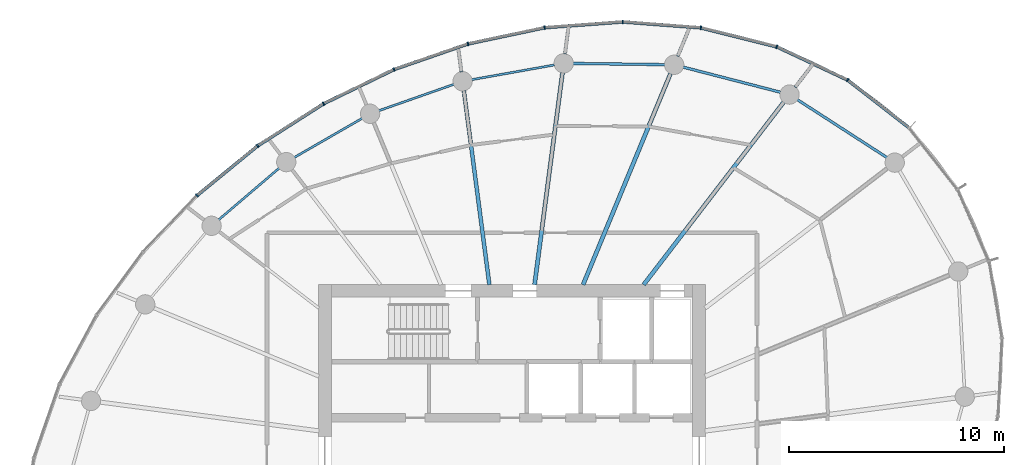
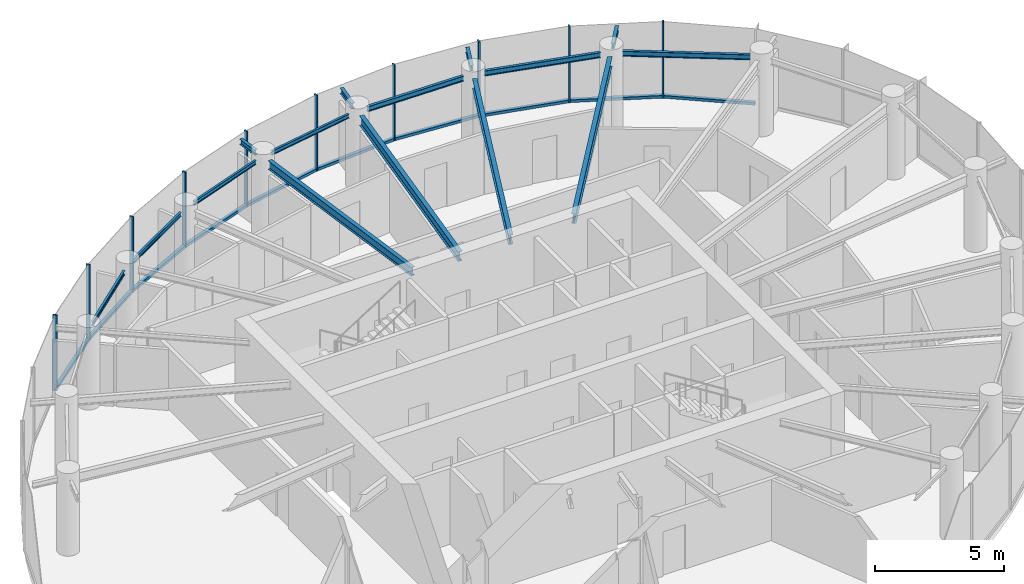
# One storey, part 6 of 14: 20 members, 15 beams, 2 elements without a shape of their own.
"""IFC4 building model written with IfcOpenShell, lengths in metres."""

from ifc_helpers import new_model, si_unit, direction, frame, origin, origin_2d, place, context, subcontext, project, spatial, rectangle, i_section, extrude, source, transform, mapped, material, layer, layer_set, material_profile, profile_set, type_object, element, aggregate, save


model = new_model("IFC4")

# Units and contexts
model_context = context("Model", 3, precision=1e-05, world=origin(), true_north=direction((0.0, 1.0)))
body_context = subcontext(model_context, "Body", "Model", "MODEL_VIEW")
ifc_project = project(units=[si_unit("LENGTHUNIT", "METRE"), si_unit("AREAUNIT", "SQUARE_METRE"), si_unit("VOLUMEUNIT", "CUBIC_METRE"), si_unit("PLANEANGLEUNIT", "RADIAN"), si_unit("MASSUNIT", "GRAM", prefix="KILO")], contexts=[model_context])

# Site, building, storey
site_placement = place(None, origin())
site = spatial("IfcSite", under=ifc_project, at=site_placement, CompositionType="ELEMENT")
building_placement = place(site_placement, origin())
building = spatial("IfcBuilding", under=site, at=building_placement, Name="Spindrift Exchange Tower", CompositionType="ELEMENT")
storey_placement = place(building_placement, frame((0.0, 0.0, 203.300048828125)))
storey = spatial("IfcBuildingStorey", under=building, at=storey_placement, Name="L49", CompositionType="ELEMENT", Elevation=203.300048828125)

# Beams
ifc_material_1 = material(Name="Steel Grade 300", Category="steel")
ifc_material_profile_1 = material_profile(ifc_material_1, i_section(OverallWidth=0.18994140625, OverallDepth=0.4541015625, WebThickness=0.008544921875, FlangeThickness=0.0126953125, FilletRadius=0.013916015625, at=origin_2d()), Name="460UB67.1")
ifc_profile_set_1 = profile_set([ifc_material_profile_1], Name="Steel Grade 300")
beam_type_1 = type_object("IfcBeamType", Name="Floor Beam 460UB67.1 Steel Grade 300", PredefinedType="BEAM", material=ifc_profile_set_1)
shared_shape_1 = source(origin(), body_context, "Body", "SweptSolid", [
    extrude(i_section(OverallWidth=0.18994140625, OverallDepth=0.4541015625, WebThickness=0.008544921875, FlangeThickness=0.0126953125, FilletRadius=0.013916015625, at=origin_2d()), origin(), (0.0, 0.0, 1.0), 10.711181640625),
])
beam_1_placement = place(storey_placement, frame((58.12646484375, 55.984130859375, 3.35302734375), z_axis=(0.608756401092, 0.793357198322, 0.0), x_axis=(-0.793357198322, 0.608756401092, 0.0)))
element("IfcBeam", 1, at=beam_1_placement, inside=storey, type_object=beam_type_1, Name="L49 radial beam R04A", PredefinedType="BEAM", context=body_context, shape_type="MappedRepresentation", body=[
    mapped(shared_shape_1, transform((0.0, 0.0, 0.0), scale=1.0)),
])
shared_shape_2 = source(origin(), body_context, "Body", "SweptSolid", [
    extrude(i_section(OverallWidth=0.18994140625, OverallDepth=0.4541015625, WebThickness=0.008544921875, FlangeThickness=0.0126953125, FilletRadius=0.013916015625, at=origin_2d()), origin(), (0.0, 0.0, 1.0), 10.64111328125),
])
beam_2_placement = place(storey_placement, frame((55.30615234375, 55.9814453125, 3.35302734375), z_axis=(0.382672627597, 0.923884007919, 0.0), x_axis=(-0.923884007919, 0.382672627597, 0.0)))
element("IfcBeam", 2, at=beam_2_placement, inside=storey, type_object=beam_type_1, Name="L49 radial beam R05A", PredefinedType="BEAM", context=body_context, shape_type="MappedRepresentation", body=[
    mapped(shared_shape_2, transform((0.0, 0.0, 0.0), scale=1.0)),
])
shared_shape_3 = source(origin(), body_context, "Body", "SweptSolid", [
    extrude(i_section(OverallWidth=0.18994140625, OverallDepth=0.4541015625, WebThickness=0.008544921875, FlangeThickness=0.0126953125, FilletRadius=0.013916015625, at=origin_2d()), origin(), (0.0, 0.0, 1.0), 9.95703125),
])
beam_3_placement = place(storey_placement, frame((53.050537109375, 55.980224609375, 3.35302734375), z_axis=(0.130541406635, 0.991442858239, 0.0), x_axis=(-0.991442858239, 0.130541406635, 0.0)))
element("IfcBeam", 3, at=beam_3_placement, inside=storey, type_object=beam_type_1, Name="L49 radial beam R06A", PredefinedType="BEAM", context=body_context, shape_type="MappedRepresentation", body=[
    mapped(shared_shape_3, transform((0.0, 0.0, 0.0), scale=1.0)),
])
ifc_material_profile_2 = material_profile(ifc_material_1, i_section(OverallWidth=0.177978515625, OverallDepth=0.403076171875, WebThickness=0.007568359375, FlangeThickness=0.010986328125, FilletRadius=0.013916015625, at=origin_2d()), Name="410UB53.7")
ifc_profile_set_2 = profile_set([ifc_material_profile_2], Name="Steel Grade 300")
beam_type_2 = type_object("IfcBeamType", Name="Floor Beam 410UB53.7 Steel Grade 300", PredefinedType="BEAM", material=ifc_profile_set_2)
shared_shape_4 = source(origin(), body_context, "Body", "SweptSolid", [
    extrude(i_section(OverallWidth=0.177978515625, OverallDepth=0.403076171875, WebThickness=0.007568359375, FlangeThickness=0.010986328125, FilletRadius=0.013916015625, at=origin_2d()), origin(), (0.0, 0.0, 1.0), 9.11376953125),
])
beam_4_placement = place(storey_placement, frame((50.949462890625, 55.980224609375, 3.37841796875), z_axis=(-0.130536972606, 0.991443442049, 0.0), x_axis=(-0.991443442049, -0.130536972606, 0.0)))
element("IfcBeam", 4, at=beam_4_placement, inside=storey, type_object=beam_type_2, Name="L49 radial beam R07A", PredefinedType="BEAM", context=body_context, shape_type="MappedRepresentation", body=[
    mapped(shared_shape_4, transform((0.0, 0.0, 0.0), scale=1.0)),
])
ifc_material_profile_3 = material_profile(ifc_material_1, i_section(OverallWidth=0.1240234375, OverallDepth=0.248046875, WebThickness=0.0048828125, FlangeThickness=0.008056640625, FilletRadius=0.011962890625, at=origin_2d()), Name="250UB25.7")
ifc_profile_set_3 = profile_set([ifc_material_profile_3], Name="Steel Grade 300")
beam_type_3 = type_object("IfcBeamType", Name="Edge Beam 250UB25.7 Steel Grade 300", PredefinedType="SPANDREL", material=ifc_profile_set_3)
shared_shape_5 = source(origin(), body_context, "Body", "SweptSolid", [
    extrude(i_section(OverallWidth=0.1240234375, OverallDepth=0.248046875, WebThickness=0.0048828125, FlangeThickness=0.008056640625, FilletRadius=0.011962890625, at=origin_2d()), origin(), (0.0, 0.0, 1.0), 4.966552734375),
])
beam_5_placement = place(storey_placement, frame((69.44091796875, 61.893310546875, 3.4560546875), z_axis=(-0.839802198579, 0.54289250065, 0.0), x_axis=(-0.54289250065, -0.839802198579, 0.0)))
element("IfcBeam", 5, at=beam_5_placement, inside=storey, type_object=beam_type_3, Name="L49 edge beam E03", PredefinedType="SPANDREL", context=body_context, shape_type="MappedRepresentation", body=[
    mapped(shared_shape_5, transform((0.0, 0.0, 0.0), scale=1.0)),
])
shared_shape_6 = source(origin(), body_context, "Body", "SweptSolid", [
    extrude(i_section(OverallWidth=0.1240234375, OverallDepth=0.248046875, WebThickness=0.0048828125, FlangeThickness=0.008056640625, FilletRadius=0.011962890625, at=origin_2d()), origin(), (0.0, 0.0, 1.0), 4.682373046875),
])
beam_6_placement = place(storey_placement, frame((64.492431640625, 64.9306640625, 3.4560546875), z_axis=(-0.968201586176, 0.250171318352, 0.0), x_axis=(-0.250171318352, -0.968201586176, 0.0)))
element("IfcBeam", 6, at=beam_6_placement, inside=storey, type_object=beam_type_3, Name="L49 edge beam E04", PredefinedType="SPANDREL", context=body_context, shape_type="MappedRepresentation", body=[
    mapped(shared_shape_6, transform((0.0, 0.0, 0.0), scale=1.0)),
])
shared_shape_7 = source(origin(), body_context, "Body", "SweptSolid", [
    extrude(i_section(OverallWidth=0.1240234375, OverallDepth=0.248046875, WebThickness=0.0048828125, FlangeThickness=0.008056640625, FilletRadius=0.011962890625, at=origin_2d()), origin(), (0.0, 0.0, 1.0), 4.27685546875),
])
beam_7_placement = place(storey_placement, frame((59.11279296875, 66.21533203125, 3.4560546875), z_axis=(-0.999910013527, 0.013415097807, 0.0), x_axis=(-0.013415097807, -0.999910013527, 0.0)))
element("IfcBeam", 7, at=beam_7_placement, inside=storey, type_object=beam_type_3, Name="L49 edge beam E05", PredefinedType="SPANDREL", context=body_context, shape_type="MappedRepresentation", body=[
    mapped(shared_shape_7, transform((0.0, 0.0, 0.0), scale=1.0)),
])
ifc_material_profile_4 = material_profile(ifc_material_1, i_section(OverallWidth=0.09912109375, OverallDepth=0.197998046875, WebThickness=0.00439453125, FlangeThickness=0.007080078125, FilletRadius=0.010986328125, at=origin_2d()), Name="200UB18.2")
ifc_profile_set_4 = profile_set([ifc_material_profile_4], Name="Steel Grade 300")
beam_type_4 = type_object("IfcBeamType", Name="Edge Beam 200UB18.2 Steel Grade 300", PredefinedType="SPANDREL", material=ifc_profile_set_4)
shared_shape_8 = source(origin(), body_context, "Body", "SweptSolid", [
    extrude(i_section(OverallWidth=0.09912109375, OverallDepth=0.197998046875, WebThickness=0.00439453125, FlangeThickness=0.007080078125, FilletRadius=0.010986328125, at=origin_2d()), origin(), (0.0, 0.0, 1.0), 3.916259765625),
])
beam_8_placement = place(storey_placement, frame((53.98291015625, 66.203125, 3.48095703125), z_axis=(-0.984558687682, -0.175054821441, 0.0), x_axis=(0.175054821441, -0.984558687682, 0.0)))
element("IfcBeam", 8, at=beam_8_placement, inside=storey, type_object=beam_type_4, Name="L49 edge beam E06", PredefinedType="SPANDREL", context=body_context, shape_type="MappedRepresentation", body=[
    mapped(shared_shape_8, transform((0.0, 0.0, 0.0), scale=1.0)),
])
shared_shape_9 = source(origin(), body_context, "Body", "SweptSolid", [
    extrude(i_section(OverallWidth=0.09912109375, OverallDepth=0.197998046875, WebThickness=0.00439453125, FlangeThickness=0.007080078125, FilletRadius=0.010986328125, at=origin_2d()), origin(), (0.0, 0.0, 1.0), 3.700439453125),
])
beam_9_placement = place(storey_placement, frame((49.298095703125, 65.300048828125, 3.48095703125), z_axis=(-0.943515334916, -0.331328858957, 0.0), x_axis=(0.331328858957, -0.943515334916, 0.0)))
element("IfcBeam", 9, at=beam_9_placement, inside=storey, type_object=beam_type_4, Name="L49 edge beam E07", PredefinedType="SPANDREL", context=body_context, shape_type="MappedRepresentation", body=[
    mapped(shared_shape_9, transform((0.0, 0.0, 0.0), scale=1.0)),
])
shared_shape_10 = source(origin(), body_context, "Body", "SweptSolid", [
    extrude(i_section(OverallWidth=0.09912109375, OverallDepth=0.197998046875, WebThickness=0.00439453125, FlangeThickness=0.007080078125, FilletRadius=0.010986328125, at=origin_2d()), origin(), (0.0, 0.0, 1.0), 3.64208984375),
])
beam_10_placement = place(storey_placement, frame((45.028564453125, 63.716552734375, 3.48095703125), z_axis=(-0.866364093123, -0.499412913476, 0.0), x_axis=(0.499412913476, -0.866364093123, 0.0)))
element("IfcBeam", 10, at=beam_10_placement, inside=storey, type_object=beam_type_4, Name="L49 edge beam E08", PredefinedType="SPANDREL", context=body_context, shape_type="MappedRepresentation", body=[
    mapped(shared_shape_10, transform((0.0, 0.0, 0.0), scale=1.0)),
])
shared_shape_11 = source(origin(), body_context, "Body", "SweptSolid", [
    extrude(i_section(OverallWidth=0.09912109375, OverallDepth=0.197998046875, WebThickness=0.00439453125, FlangeThickness=0.007080078125, FilletRadius=0.010986328125, at=origin_2d()), origin(), (0.0, 0.0, 1.0), 3.703857421875),
])
beam_11_placement = place(storey_placement, frame((41.173583984375, 61.40380859375, 3.48095703125), z_axis=(-0.7606692863, -0.64913961278, 0.0), x_axis=(0.64913961278, -0.7606692863, 0.0)))
element("IfcBeam", 11, at=beam_11_placement, inside=storey, type_object=beam_type_4, Name="L49 edge beam E09", PredefinedType="SPANDREL", context=body_context, shape_type="MappedRepresentation", body=[
    mapped(shared_shape_11, transform((0.0, 0.0, 0.0), scale=1.0)),
])
ifc_material_profile_5 = material_profile(ifc_material_1, i_section(OverallWidth=0.14599609375, OverallDepth=0.251953125, WebThickness=0.006103515625, FlangeThickness=0.008544921875, FilletRadius=0.011962890625, at=origin_2d()), Name="250UB31.4")
ifc_profile_set_5 = profile_set([ifc_material_profile_5], Name="Steel Grade 300")
beam_type_5 = type_object("IfcBeamType", Name="Cantilever Beam 250UB31.4 Steel Grade 300", PredefinedType="BEAM", material=ifc_profile_set_5)
shared_shape_12 = source(origin(), body_context, "Body", "SweptSolid", [
    extrude(i_section(OverallWidth=0.14599609375, OverallDepth=0.251953125, WebThickness=0.006103515625, FlangeThickness=0.008544921875, FilletRadius=0.011962890625, at=origin_2d()), origin(), (0.0, 0.0, 1.0), 1.241455078125),
])
beam_12_placement = place(storey_placement, frame((65.170654296875, 65.164306640625, 3.453857421875), z_axis=(0.608712274702, 0.793391055298, 0.0), x_axis=(-0.793391055298, 0.608712274702, 0.0)))
element("IfcBeam", 12, at=beam_12_placement, inside=storey, type_object=beam_type_5, Name="L49 cantilever beam R04T", PredefinedType="BEAM", context=body_context, shape_type="MappedRepresentation", body=[
    mapped(shared_shape_12, transform((0.0, 0.0, 0.0), scale=1.0)),
])
shared_shape_13 = source(origin(), body_context, "Body", "SweptSolid", [
    extrude(i_section(OverallWidth=0.14599609375, OverallDepth=0.251953125, WebThickness=0.006103515625, FlangeThickness=0.008544921875, FilletRadius=0.011962890625, at=origin_2d()), origin(), (0.0, 0.0, 1.0), 1.282958984375),
])
beam_13_placement = place(storey_placement, frame((59.707275390625, 66.60693359375, 3.453857421875), z_axis=(0.382682320503, 0.923879993059, 0.0), x_axis=(-0.923879993059, 0.382682320503, 0.0)))
element("IfcBeam", 13, at=beam_13_placement, inside=storey, type_object=beam_type_5, Name="L49 cantilever beam R05T", PredefinedType="BEAM", context=body_context, shape_type="MappedRepresentation", body=[
    mapped(shared_shape_13, transform((0.0, 0.0, 0.0), scale=1.0)),
])
shared_shape_14 = source(origin(), body_context, "Body", "SweptSolid", [
    extrude(i_section(OverallWidth=0.14599609375, OverallDepth=0.251953125, WebThickness=0.006103515625, FlangeThickness=0.008544921875, FilletRadius=0.011962890625, at=origin_2d()), origin(), (0.0, 0.0, 1.0), 1.15380859375),
])
beam_14_placement = place(storey_placement, frame((54.46240234375, 66.70458984375, 3.453857421875), z_axis=(0.130542080409, 0.991442769525, 0.0), x_axis=(-0.991442769525, 0.130542080409, 0.0)))
element("IfcBeam", 14, at=beam_14_placement, inside=storey, type_object=beam_type_5, Name="L49 cantilever beam R06T", PredefinedType="BEAM", context=body_context, shape_type="MappedRepresentation", body=[
    mapped(shared_shape_14, transform((0.0, 0.0, 0.0), scale=1.0)),
])
shared_shape_15 = source(origin(), body_context, "Body", "SweptSolid", [
    extrude(i_section(OverallWidth=0.14599609375, OverallDepth=0.251953125, WebThickness=0.006103515625, FlangeThickness=0.008544921875, FilletRadius=0.011962890625, at=origin_2d()), origin(), (0.0, 0.0, 1.0), 0.9619140625),
])
beam_15_placement = place(storey_placement, frame((49.6474609375, 65.868896484375, 3.453857421875), z_axis=(-0.130467644579, 0.991452567558, 0.0), x_axis=(-0.991452567558, -0.130467644579, 0.0)))
element("IfcBeam", 15, at=beam_15_placement, inside=storey, type_object=beam_type_5, Name="L49 cantilever beam R07T", PredefinedType="BEAM", context=body_context, shape_type="MappedRepresentation", body=[
    mapped(shared_shape_15, transform((0.0, 0.0, 0.0), scale=1.0)),
])

# Curtain wall, members
ifc_material_2 = material(Name="Fritted laminated glass with bronze frame", Category="glass")
ifc_layer = layer(ifc_material_2, 0.169921875)
ifc_layer_set = layer_set([ifc_layer], Name="ZONE 4 BRONZE FRITTED WALL")
curtain_wall_type = type_object("IfcCurtainWallType", Name="ZONE 4 BRONZE FRITTED WALL", PredefinedType="NOTDEFINED", material=ifc_layer_set)
curtain_wall_1_placement = place(storey_placement, origin())
curtain_wall_1 = element("IfcCurtainWall", 16, at=curtain_wall_1_placement, inside=storey, type_object=curtain_wall_type, Name="L49 Zone 4 Bronze Fritted Wall run 1", PredefinedType="NOTDEFINED")
ifc_material_3 = material(Name="Bronze anodised aluminium", Category="aluminium")
ifc_material_profile_6 = material_profile(ifc_material_3, rectangle(XDim=0.06494140625, YDim=0.169921875, at=origin_2d()), Name="ZONE 4 BRONZE FRITTED WALL MULLION 65X170")
ifc_profile_set_6 = profile_set([ifc_material_profile_6], Name="Bronze anodised aluminium")
member_type_1 = type_object("IfcMemberType", Name="ZONE 4 BRONZE FRITTED WALL MULLION 65X170", PredefinedType="MULLION", material=ifc_profile_set_6)
shared_shape_16 = source(origin(), body_context, "Body", "SweptSolid", [
    extrude(rectangle(XDim=0.06494140625, YDim=0.169921875, at=origin_2d()), origin(), (0.0, 0.0, 1.0), 3.579833984375),
])
member_1_placement = place(storey_placement, frame((67.607177734375, 65.50390625, 0.0), z_axis=(0.0, 0.0, 1.0), x_axis=(-0.852724010712, 0.522361715247, 0.0)))
member_1 = element("IfcMember", 17, at=member_1_placement, type_object=member_type_1, Name="L49 mullion CW-4.3", PredefinedType="MULLION", context=body_context, shape_type="MappedRepresentation", body=[
    mapped(shared_shape_16, transform((0.0, 0.0, 0.0), scale=1.0)),
])
member_2_placement = place(storey_placement, frame((64.313720703125, 67.050048828125, 0.0), z_axis=(0.0, 0.0, 1.0), x_axis=(-0.942124269775, 0.33526386668, 0.0)))
member_2 = element("IfcMember", 18, at=member_2_placement, type_object=member_type_1, Name="L49 mullion CW-4.4", PredefinedType="MULLION", context=body_context, shape_type="MappedRepresentation", body=[
    mapped(shared_shape_16, transform((0.0, 0.0, 0.0), scale=1.0)),
])
member_3_placement = place(storey_placement, frame((60.7822265625, 67.932373046875, 0.0), z_axis=(0.0, 0.0, 1.0), x_axis=(-0.987190767249, 0.159544316911, 0.0)))
member_3 = element("IfcMember", 19, at=member_3_placement, type_object=member_type_1, Name="L49 mullion CW-4.5", PredefinedType="MULLION", context=body_context, shape_type="MappedRepresentation", body=[
    mapped(shared_shape_16, transform((0.0, 0.0, 0.0), scale=1.0)),
])
member_4_placement = place(storey_placement, frame((57.151611328125, 68.20751953125, 0.0), z_axis=(0.0, 0.0, 1.0), x_axis=(-0.999999580471, 0.000916000622, 0.0)))
member_4 = element("IfcMember", 20, at=member_4_placement, type_object=member_type_1, Name="L49 mullion CW-4.6", PredefinedType="MULLION", context=body_context, shape_type="MappedRepresentation", body=[
    mapped(shared_shape_16, transform((0.0, 0.0, 0.0), scale=1.0)),
])

curtain_wall_2_placement = place(storey_placement, origin())
curtain_wall_2 = element("IfcCurtainWall", 21, at=curtain_wall_2_placement, inside=storey, type_object=curtain_wall_type, Name="L49 Zone 4 Bronze Fritted Wall run 2", PredefinedType="NOTDEFINED")
member_5_placement = place(storey_placement, frame((53.519775390625, 67.93896484375, 0.0), z_axis=(0.0, 0.0, 1.0), x_axis=(-0.990048214499, -0.140728579069, 0.0)))
member_5 = element("IfcMember", 22, at=member_5_placement, type_object=member_type_1, Name="L49 mullion CW-4.7", PredefinedType="MULLION", context=body_context, shape_type="MappedRepresentation", body=[
    mapped(shared_shape_16, transform((0.0, 0.0, 0.0), scale=1.0)),
])
member_6_placement = place(storey_placement, frame((49.956298828125, 67.1845703125, 0.0), z_axis=(0.0, 0.0, 1.0), x_axis=(-0.963495334577, -0.267725120691, 0.0)))
member_6 = element("IfcMember", 23, at=member_6_placement, type_object=member_type_1, Name="L49 mullion CW-4.8", PredefinedType="MULLION", context=body_context, shape_type="MappedRepresentation", body=[
    mapped(shared_shape_16, transform((0.0, 0.0, 0.0), scale=1.0)),
])
member_7_placement = place(storey_placement, frame((46.514404296875, 65.9921875, 0.0), z_axis=(0.0, 0.0, 1.0), x_axis=(-0.923806847935, -0.382858861343, 0.0)))
member_7 = element("IfcMember", 24, at=member_7_placement, type_object=member_type_1, Name="L49 mullion CW-4.9", PredefinedType="MULLION", context=body_context, shape_type="MappedRepresentation", body=[
    mapped(shared_shape_16, transform((0.0, 0.0, 0.0), scale=1.0)),
])
member_8_placement = place(storey_placement, frame((43.23779296875, 64.400146484375, 0.0), z_axis=(0.0, 0.0, 1.0), x_axis=(-0.872479420623, -0.488650857556, 0.0)))
member_8 = element("IfcMember", 25, at=member_8_placement, type_object=member_type_1, Name="L49 mullion CW-4.10", PredefinedType="MULLION", context=body_context, shape_type="MappedRepresentation", body=[
    mapped(shared_shape_16, transform((0.0, 0.0, 0.0), scale=1.0)),
])
member_9_placement = place(storey_placement, frame((40.16845703125, 62.438232421875, 0.0), z_axis=(0.0, 0.0, 1.0), x_axis=(-0.809564430533, -0.587031032243, 0.0)))
member_9 = element("IfcMember", 26, at=member_9_placement, type_object=member_type_1, Name="L49 mullion CW-4.11", PredefinedType="MULLION", context=body_context, shape_type="MappedRepresentation", body=[
    mapped(shared_shape_16, transform((0.0, 0.0, 0.0), scale=1.0)),
])
member_10_placement = place(storey_placement, frame((37.349853515625, 60.130615234375, 0.0), z_axis=(0.0, 0.0, 1.0), x_axis=(-0.73392824111, -0.67922701426, 0.0)))
member_10 = element("IfcMember", 27, at=member_10_placement, type_object=member_type_1, Name="L49 mullion CW-4.12", PredefinedType="MULLION", context=body_context, shape_type="MappedRepresentation", body=[
    mapped(shared_shape_16, transform((0.0, 0.0, 0.0), scale=1.0)),
])
ifc_material_profile_7 = material_profile(ifc_material_3, rectangle(XDim=0.14990234375, YDim=0.125, at=origin_2d()), Name="ZONE 4 BRONZE FRITTED WALL TRANSOM 150X125")
ifc_profile_set_7 = profile_set([ifc_material_profile_7], Name="Bronze anodised aluminium")
member_type_2 = type_object("IfcMemberType", Name="ZONE 4 BRONZE FRITTED WALL TRANSOM 150X125", PredefinedType="USERDEFINED", material=ifc_profile_set_7)
shared_shape_17 = source(origin(), body_context, "Body", "SweptSolid", [
    extrude(rectangle(XDim=0.14990234375, YDim=0.125, at=origin_2d()), origin(), (0.0, 0.0, 1.0), 3.57763671875),
])
member_11_placement = place(storey_placement, frame((49.925537109375, 67.174072265625, 0.0625), z_axis=(-0.944905726634, -0.327342584723, 0.0), x_axis=(0.327342584723, -0.944905726634, 0.0)))
member_11 = element("IfcMember", 28, at=member_11_placement, type_object=member_type_2, Name="L49 transom CW-4.8", ObjectType="TRANSOM", PredefinedType="USERDEFINED", context=body_context, shape_type="MappedRepresentation", body=[
    mapped(shared_shape_17, transform((0.0, 0.0, 0.0), scale=1.0)),
])
member_12_placement = place(storey_placement, frame((40.143310546875, 62.417724609375, 0.0625), z_axis=(-0.773768761477, -0.633468155286, 0.0), x_axis=(0.633468155286, -0.773768761477, 0.0)))
member_12 = element("IfcMember", 29, at=member_12_placement, type_object=member_type_2, Name="L49 transom CW-4.11", ObjectType="TRANSOM", PredefinedType="USERDEFINED", context=body_context, shape_type="MappedRepresentation", body=[
    mapped(shared_shape_17, transform((0.0, 0.0, 0.0), scale=1.0)),
])
shared_shape_18 = source(origin(), body_context, "Body", "SweptSolid", [
    extrude(rectangle(XDim=0.14990234375, YDim=0.125, at=origin_2d()), origin(), (0.0, 0.0, 1.0), 3.577880859375),
])
member_13_placement = place(storey_placement, frame((46.485107421875, 65.97802734375, 0.0625), z_axis=(-0.899433057452, -0.437058548895, 0.0), x_axis=(0.437058548895, -0.899433057452, 0.0)))
member_13 = element("IfcMember", 30, at=member_13_placement, type_object=member_type_2, Name="L49 transom CW-4.9", ObjectType="TRANSOM", PredefinedType="USERDEFINED", context=body_context, shape_type="MappedRepresentation", body=[
    mapped(shared_shape_18, transform((0.0, 0.0, 0.0), scale=1.0)),
])
member_14_placement = place(storey_placement, frame((43.21044921875, 64.3828125, 0.0625), z_axis=(-0.842572404044, -0.538583089174, 0.0), x_axis=(0.538583089174, -0.842572404044, 0.0)))
member_14 = element("IfcMember", 31, at=member_14_placement, type_object=member_type_2, Name="L49 transom CW-4.10", ObjectType="TRANSOM", PredefinedType="USERDEFINED", context=body_context, shape_type="MappedRepresentation", body=[
    mapped(shared_shape_18, transform((0.0, 0.0, 0.0), scale=1.0)),
])
shared_shape_19 = source(origin(), body_context, "Body", "SweptSolid", [
    extrude(rectangle(XDim=0.14990234375, YDim=0.125, at=origin_2d()), origin(), (0.0, 0.0, 1.0), 3.577392578125),
])
member_15_placement = place(storey_placement, frame((53.48779296875, 67.93212890625, 0.0625), z_axis=(-0.978327640943, -0.207062857525, 0.0), x_axis=(0.207062857525, -0.978327640943, 0.0)))
member_15 = element("IfcMember", 32, at=member_15_placement, type_object=member_type_2, Name="L49 transom CW-4.7", ObjectType="TRANSOM", PredefinedType="USERDEFINED", context=body_context, shape_type="MappedRepresentation", body=[
    mapped(shared_shape_19, transform((0.0, 0.0, 0.0), scale=1.0)),
])
aggregate(curtain_wall_2, [member_5, member_15, member_6, member_11, member_7, member_13, member_8, member_14, member_9, member_12, member_10])

# Member
shared_shape_20 = source(origin(), body_context, "Body", "SweptSolid", [
    extrude(rectangle(XDim=0.14990234375, YDim=0.125, at=origin_2d()), origin(), (0.0, 0.0, 1.0), 3.576904296875),
])
member_16_placement = place(storey_placement, frame((57.119140625, 68.205078125, 0.0625), z_axis=(-0.997279288886, -0.073715805352, 0.0), x_axis=(0.073715805352, -0.997279288886, 0.0)))
member_16 = element("IfcMember", 33, at=member_16_placement, type_object=member_type_2, Name="L49 transom CW-4.6", ObjectType="TRANSOM", PredefinedType="USERDEFINED", context=body_context, shape_type="MappedRepresentation", body=[
    mapped(shared_shape_20, transform((0.0, 0.0, 0.0), scale=1.0)),
])

shared_shape_21 = source(origin(), body_context, "Body", "SweptSolid", [
    extrude(rectangle(XDim=0.14990234375, YDim=0.125, at=origin_2d()), origin(), (0.0, 0.0, 1.0), 3.571533203125),
])
member_17_placement = place(storey_placement, frame((70.45361328125, 63.293212890625, 0.0625), z_axis=(-0.789797382164, 0.613367830202, 0.0), x_axis=(-0.613367830202, -0.789797382164, 0.0)))
member_17 = element("IfcMember", 34, at=member_17_placement, type_object=member_type_2, Name="L49 transom CW-4.2", ObjectType="TRANSOM", PredefinedType="USERDEFINED", context=body_context, shape_type="MappedRepresentation", body=[
    mapped(shared_shape_21, transform((0.0, 0.0, 0.0), scale=1.0)),
])

shared_shape_22 = source(origin(), body_context, "Body", "SweptSolid", [
    extrude(rectangle(XDim=0.14990234375, YDim=0.125, at=origin_2d()), origin(), (0.0, 0.0, 1.0), 3.5732421875),
])
member_18_placement = place(storey_placement, frame((67.57763671875, 65.517578125, 0.0625), z_axis=(-0.905208516973, 0.424967693831, 0.0), x_axis=(-0.424967693831, -0.905208516973, 0.0)))
member_18 = element("IfcMember", 35, at=member_18_placement, type_object=member_type_2, Name="L49 transom CW-4.3", ObjectType="TRANSOM", PredefinedType="USERDEFINED", context=body_context, shape_type="MappedRepresentation", body=[
    mapped(shared_shape_22, transform((0.0, 0.0, 0.0), scale=1.0)),
])

shared_shape_23 = source(origin(), body_context, "Body", "SweptSolid", [
    extrude(rectangle(XDim=0.14990234375, YDim=0.125, at=origin_2d()), origin(), (0.0, 0.0, 1.0), 3.576171875),
])
member_19_placement = place(storey_placement, frame((60.75, 67.934814453125, 0.0625), z_axis=(-0.997145336542, 0.075506144202, 0.0), x_axis=(-0.075506144202, -0.997145336542, 0.0)))
member_19 = element("IfcMember", 36, at=member_19_placement, type_object=member_type_2, Name="L49 transom CW-4.5", ObjectType="TRANSOM", PredefinedType="USERDEFINED", context=body_context, shape_type="MappedRepresentation", body=[
    mapped(shared_shape_23, transform((0.0, 0.0, 0.0), scale=1.0)),
])

shared_shape_24 = source(origin(), body_context, "Body", "SweptSolid", [
    extrude(rectangle(XDim=0.14990234375, YDim=0.125, at=origin_2d()), origin(), (0.0, 0.0, 1.0), 3.5751953125),
])
member_20_placement = place(storey_placement, frame((64.2822265625, 67.057861328125, 0.0625), z_axis=(-0.970186671265, 0.242358872128, 0.0), x_axis=(-0.242358872128, -0.970186671265, 0.0)))
member_20 = element("IfcMember", 37, at=member_20_placement, type_object=member_type_2, Name="L49 transom CW-4.4", ObjectType="TRANSOM", PredefinedType="USERDEFINED", context=body_context, shape_type="MappedRepresentation", body=[
    mapped(shared_shape_24, transform((0.0, 0.0, 0.0), scale=1.0)),
])

aggregate(curtain_wall_1, [member_17, member_1, member_18, member_2, member_20, member_3, member_19, member_4, member_16])

save(model, "model.ifc")
